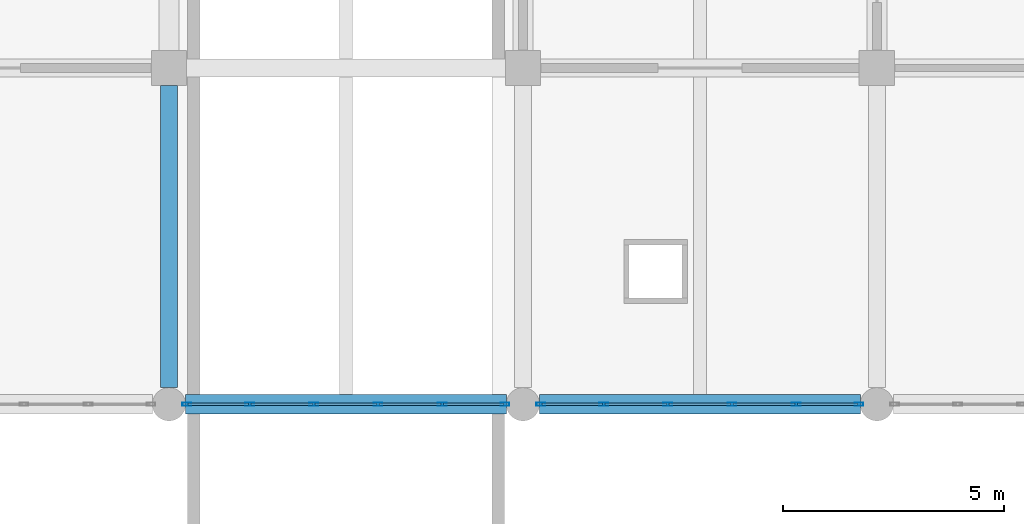
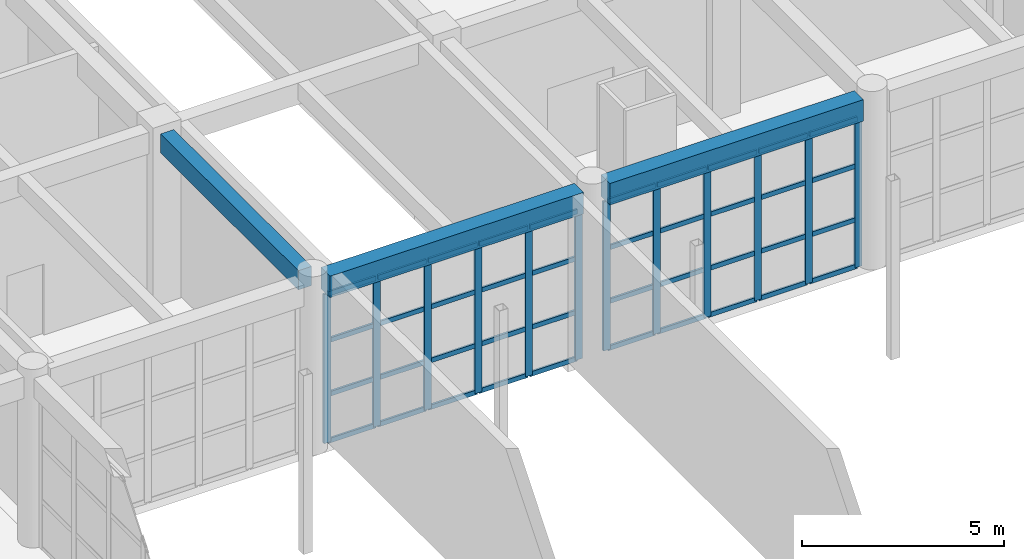
# One storey, part 54 of 95: 52 members, 3 beams, 2 elements without a shape of their own.
"""IFC4 building model written with IfcOpenShell, lengths in metres."""

from ifc_helpers import new_model, si_unit, direction, frame, origin, origin_2d, place, context, subcontext, project, spatial, rectangle, hollow_rectangle, extrude, material, material_profile, profile_set, type_object, element, aggregate, save


model = new_model("IFC4")

# Units and contexts
model_context = context("Model", 3, precision=1e-05, world=origin(), true_north=direction((0.0, 1.0)))
body_context = subcontext(model_context, "Body", "Model", "MODEL_VIEW")
ifc_project = project(units=[si_unit("LENGTHUNIT", "METRE"), si_unit("AREAUNIT", "SQUARE_METRE"), si_unit("VOLUMEUNIT", "CUBIC_METRE"), si_unit("PLANEANGLEUNIT", "RADIAN"), si_unit("MASSUNIT", "GRAM", prefix="KILO")], contexts=[model_context])

# Site, building, storey
site_placement = place(None, origin())
site = spatial("IfcSite", under=ifc_project, at=site_placement, CompositionType="ELEMENT")
building_placement = place(site_placement, origin())
building = spatial("IfcBuilding", under=site, at=building_placement, Name="Zantavel Square City Hall", CompositionType="ELEMENT")
storey_placement = place(building_placement, origin())
storey = spatial("IfcBuildingStorey", under=building, at=storey_placement, Name="L01", CompositionType="ELEMENT", Elevation=0.0)

# Beam
ifc_material_1 = material(Name="Concrete C35/45", Category="concrete")
ifc_material_profile_1 = material_profile(ifc_material_1, rectangle(XDim=0.3798828125, YDim=0.580078125, at=origin_2d()), Name="RC 380x580")
ifc_profile_set_1 = profile_set([ifc_material_profile_1], Name="Concrete C35/45")
beam_type_1 = type_object("IfcBeamType", Name="Annex Secondary Beam RC 380x580 C35/45", PredefinedType="BEAM", material=ifc_profile_set_1)
beam_placement = place(storey_placement, frame((128.0, 68.77490234375, 4.8701171875), z_axis=(0.0, 1.0, 0.0), x_axis=(-1.0, 0.0, 0.0)))
element("IfcBeam", 1, at=beam_placement, inside=storey, type_object=beam_type_1, Name="L01 Beam BMY-L01-1280-0684", PredefinedType="BEAM", context=body_context, shape_type="SweptSolid", body=[
    extrude(rectangle(XDim=0.3798828125, YDim=0.580078125, at=origin_2d()), origin(), (0.0, 0.0, 1.0), 6.8251953125),
])

# Curtain wall, members
ifc_material_2 = material(Name="Anodised aluminium 6063-T6", Category="aluminium")
curtain_wall_type = type_object("IfcCurtainWallType", Name="Curtain Wall CRT 7250x4510", PredefinedType="USERDEFINED", material=ifc_material_2)
curtain_wall_1_placement = place(storey_placement, origin())
curtain_wall_1 = element("IfcCurtainWall", 2, at=curtain_wall_1_placement, inside=storey, type_object=curtain_wall_type, Name="L01 Glazed Curtain Wall CW-L01-021", ObjectType="GLAZED CURTAIN WALL", PredefinedType="USERDEFINED")
ifc_material_profile_2 = material_profile(ifc_material_2, hollow_rectangle(XDim=0.070068359375, YDim=0.199951171875, WallThickness=0.00439453125, at=origin_2d()), Name="ALU 70x200x4.5")
ifc_profile_set_2 = profile_set([ifc_material_profile_2], Name="Anodised aluminium 6063-T6")
member_type_1 = type_object("IfcMemberType", Name="CW Heavy Hall Mullion ALU 70x200x4.5", PredefinedType="MULLION", material=ifc_profile_set_2)
member_1_placement = place(storey_placement, frame((135.594970703125, 68.39990234375, 0.0), z_axis=(0.0, 0.0, 1.0), x_axis=(0.0, -1.0, 0.0)))
member_1 = element("IfcMember", 3, at=member_1_placement, type_object=member_type_1, Name="CW-021 mullion 1", PredefinedType="MULLION", context=body_context, shape_type="SweptSolid", body=[
    extrude(hollow_rectangle(XDim=0.070068359375, YDim=0.199951171875, WallThickness=0.00439453125, at=origin_2d()), origin(), (0.0, 0.0, 1.0), 4.510009765625),
])
member_2_placement = place(storey_placement, frame((134.175048828125, 68.39990234375, 0.0), z_axis=(0.0, 0.0, 1.0), x_axis=(0.0, -1.0, 0.0)))
member_2 = element("IfcMember", 4, at=member_2_placement, type_object=member_type_1, Name="CW-021 mullion 2", PredefinedType="MULLION", context=body_context, shape_type="SweptSolid", body=[
    extrude(hollow_rectangle(XDim=0.070068359375, YDim=0.199951171875, WallThickness=0.00439453125, at=origin_2d()), origin(), (0.0, 0.0, 1.0), 4.510009765625),
])
member_3_placement = place(storey_placement, frame((132.72509765625, 68.39990234375, 0.0), z_axis=(0.0, 0.0, 1.0), x_axis=(0.0, -1.0, 0.0)))
member_3 = element("IfcMember", 5, at=member_3_placement, type_object=member_type_1, Name="CW-021 mullion 3", PredefinedType="MULLION", context=body_context, shape_type="SweptSolid", body=[
    extrude(hollow_rectangle(XDim=0.070068359375, YDim=0.199951171875, WallThickness=0.00439453125, at=origin_2d()), origin(), (0.0, 0.0, 1.0), 4.510009765625),
])
member_4_placement = place(storey_placement, frame((131.27490234375, 68.39990234375, 0.0), z_axis=(0.0, 0.0, 1.0), x_axis=(0.0, -1.0, 0.0)))
member_4 = element("IfcMember", 6, at=member_4_placement, type_object=member_type_1, Name="CW-021 mullion 4", PredefinedType="MULLION", context=body_context, shape_type="SweptSolid", body=[
    extrude(hollow_rectangle(XDim=0.070068359375, YDim=0.199951171875, WallThickness=0.00439453125, at=origin_2d()), origin(), (0.0, 0.0, 1.0), 4.510009765625),
])
member_5_placement = place(storey_placement, frame((129.824951171875, 68.39990234375, 0.0), z_axis=(0.0, 0.0, 1.0), x_axis=(0.0, -1.0, 0.0)))
member_5 = element("IfcMember", 7, at=member_5_placement, type_object=member_type_1, Name="CW-021 mullion 5", PredefinedType="MULLION", context=body_context, shape_type="SweptSolid", body=[
    extrude(hollow_rectangle(XDim=0.070068359375, YDim=0.199951171875, WallThickness=0.00439453125, at=origin_2d()), origin(), (0.0, 0.0, 1.0), 4.510009765625),
])
member_6_placement = place(storey_placement, frame((128.405029296875, 68.39990234375, 0.0), z_axis=(0.0, 0.0, 1.0), x_axis=(0.0, -1.0, 0.0)))
member_6 = element("IfcMember", 8, at=member_6_placement, type_object=member_type_1, Name="CW-021 mullion 6", PredefinedType="MULLION", context=body_context, shape_type="SweptSolid", body=[
    extrude(hollow_rectangle(XDim=0.070068359375, YDim=0.199951171875, WallThickness=0.00439453125, at=origin_2d()), origin(), (0.0, 0.0, 1.0), 4.510009765625),
])

curtain_wall_2_placement = place(storey_placement, origin())
curtain_wall_2 = element("IfcCurtainWall", 9, at=curtain_wall_2_placement, inside=storey, type_object=curtain_wall_type, Name="L01 Glazed Curtain Wall CW-L01-036", ObjectType="GLAZED CURTAIN WALL", PredefinedType="USERDEFINED")
member_7_placement = place(storey_placement, frame((143.594970703125, 68.39990234375, 0.0), z_axis=(0.0, 0.0, 1.0), x_axis=(0.0, -1.0, 0.0)))
member_7 = element("IfcMember", 10, at=member_7_placement, type_object=member_type_1, Name="CW-036 mullion 1", PredefinedType="MULLION", context=body_context, shape_type="SweptSolid", body=[
    extrude(hollow_rectangle(XDim=0.070068359375, YDim=0.199951171875, WallThickness=0.00439453125, at=origin_2d()), origin(), (0.0, 0.0, 1.0), 4.510009765625),
])
member_8_placement = place(storey_placement, frame((142.175048828125, 68.39990234375, 0.0), z_axis=(0.0, 0.0, 1.0), x_axis=(0.0, -1.0, 0.0)))
member_8 = element("IfcMember", 11, at=member_8_placement, type_object=member_type_1, Name="CW-036 mullion 2", PredefinedType="MULLION", context=body_context, shape_type="SweptSolid", body=[
    extrude(hollow_rectangle(XDim=0.070068359375, YDim=0.199951171875, WallThickness=0.00439453125, at=origin_2d()), origin(), (0.0, 0.0, 1.0), 4.510009765625),
])
member_9_placement = place(storey_placement, frame((140.72509765625, 68.39990234375, 0.0), z_axis=(0.0, 0.0, 1.0), x_axis=(0.0, -1.0, 0.0)))
member_9 = element("IfcMember", 12, at=member_9_placement, type_object=member_type_1, Name="CW-036 mullion 3", PredefinedType="MULLION", context=body_context, shape_type="SweptSolid", body=[
    extrude(hollow_rectangle(XDim=0.070068359375, YDim=0.199951171875, WallThickness=0.00439453125, at=origin_2d()), origin(), (0.0, 0.0, 1.0), 4.510009765625),
])
member_10_placement = place(storey_placement, frame((139.27490234375, 68.39990234375, 0.0), z_axis=(0.0, 0.0, 1.0), x_axis=(0.0, -1.0, 0.0)))
member_10 = element("IfcMember", 13, at=member_10_placement, type_object=member_type_1, Name="CW-036 mullion 4", PredefinedType="MULLION", context=body_context, shape_type="SweptSolid", body=[
    extrude(hollow_rectangle(XDim=0.070068359375, YDim=0.199951171875, WallThickness=0.00439453125, at=origin_2d()), origin(), (0.0, 0.0, 1.0), 4.510009765625),
])
member_11_placement = place(storey_placement, frame((137.824951171875, 68.39990234375, 0.0), z_axis=(0.0, 0.0, 1.0), x_axis=(0.0, -1.0, 0.0)))
member_11 = element("IfcMember", 14, at=member_11_placement, type_object=member_type_1, Name="CW-036 mullion 5", PredefinedType="MULLION", context=body_context, shape_type="SweptSolid", body=[
    extrude(hollow_rectangle(XDim=0.070068359375, YDim=0.199951171875, WallThickness=0.00439453125, at=origin_2d()), origin(), (0.0, 0.0, 1.0), 4.510009765625),
])
member_12_placement = place(storey_placement, frame((136.405029296875, 68.39990234375, 0.0), z_axis=(0.0, 0.0, 1.0), x_axis=(0.0, -1.0, 0.0)))
member_12 = element("IfcMember", 15, at=member_12_placement, type_object=member_type_1, Name="CW-036 mullion 6", PredefinedType="MULLION", context=body_context, shape_type="SweptSolid", body=[
    extrude(hollow_rectangle(XDim=0.070068359375, YDim=0.199951171875, WallThickness=0.00439453125, at=origin_2d()), origin(), (0.0, 0.0, 1.0), 4.510009765625),
])

# Member
ifc_material_profile_3 = material_profile(ifc_material_2, hollow_rectangle(XDim=0.06005859375, YDim=0.139892578125, WallThickness=0.00390625, at=origin_2d()), Name="ALU 60x140x4")
ifc_profile_set_3 = profile_set([ifc_material_profile_3], Name="Anodised aluminium 6063-T6")
member_type_2 = type_object("IfcMemberType", Name="CW Transom ALU 60x140x4", PredefinedType="USERDEFINED", material=ifc_profile_set_3)
member_13_placement = place(storey_placement, frame((135.56494140625, 68.39990234375, 0.030029296875), z_axis=(-1.0, 0.0, 0.0), x_axis=(0.0, -1.0, 0.0)))
member_13 = element("IfcMember", 16, at=member_13_placement, type_object=member_type_2, Name="CW-021 transom 1.1", ObjectType="TRANSOM", PredefinedType="USERDEFINED", context=body_context, shape_type="SweptSolid", body=[
    extrude(hollow_rectangle(XDim=0.06005859375, YDim=0.139892578125, WallThickness=0.00390625, at=origin_2d()), origin(), (0.0, 0.0, 1.0), 1.35986328125),
])

member_14_placement = place(storey_placement, frame((135.56494140625, 68.39990234375, 1.443115234375), z_axis=(-1.0, 0.0, 0.0), x_axis=(0.0, -1.0, 0.0)))
member_14 = element("IfcMember", 17, at=member_14_placement, type_object=member_type_2, Name="CW-021 transom 1.2", ObjectType="TRANSOM", PredefinedType="USERDEFINED", context=body_context, shape_type="SweptSolid", body=[
    extrude(hollow_rectangle(XDim=0.06005859375, YDim=0.139892578125, WallThickness=0.00390625, at=origin_2d()), origin(), (0.0, 0.0, 1.0), 1.35986328125),
])

member_15_placement = place(storey_placement, frame((135.56494140625, 68.39990234375, 3.06689453125), z_axis=(-1.0, 0.0, 0.0), x_axis=(0.0, -1.0, 0.0)))
member_15 = element("IfcMember", 18, at=member_15_placement, type_object=member_type_2, Name="CW-021 transom 1.3", ObjectType="TRANSOM", PredefinedType="USERDEFINED", context=body_context, shape_type="SweptSolid", body=[
    extrude(hollow_rectangle(XDim=0.06005859375, YDim=0.139892578125, WallThickness=0.00390625, at=origin_2d()), origin(), (0.0, 0.0, 1.0), 1.35986328125),
])

member_16_placement = place(storey_placement, frame((135.56494140625, 68.39990234375, 4.47998046875), z_axis=(-1.0, 0.0, 0.0), x_axis=(0.0, -1.0, 0.0)))
member_16 = element("IfcMember", 19, at=member_16_placement, type_object=member_type_2, Name="CW-021 transom 1.4", ObjectType="TRANSOM", PredefinedType="USERDEFINED", context=body_context, shape_type="SweptSolid", body=[
    extrude(hollow_rectangle(XDim=0.06005859375, YDim=0.139892578125, WallThickness=0.00390625, at=origin_2d()), origin(), (0.0, 0.0, 1.0), 1.35986328125),
])

member_17_placement = place(storey_placement, frame((134.14501953125, 68.39990234375, 0.030029296875), z_axis=(-1.0, 0.0, 0.0), x_axis=(0.0, -1.0, 0.0)))
member_17 = element("IfcMember", 20, at=member_17_placement, type_object=member_type_2, Name="CW-021 transom 2.1", ObjectType="TRANSOM", PredefinedType="USERDEFINED", context=body_context, shape_type="SweptSolid", body=[
    extrude(hollow_rectangle(XDim=0.06005859375, YDim=0.139892578125, WallThickness=0.00390625, at=origin_2d()), origin(), (0.0, 0.0, 1.0), 1.39013671875),
])

member_18_placement = place(storey_placement, frame((134.14501953125, 68.39990234375, 1.443115234375), z_axis=(-1.0, 0.0, 0.0), x_axis=(0.0, -1.0, 0.0)))
member_18 = element("IfcMember", 21, at=member_18_placement, type_object=member_type_2, Name="CW-021 transom 2.2", ObjectType="TRANSOM", PredefinedType="USERDEFINED", context=body_context, shape_type="SweptSolid", body=[
    extrude(hollow_rectangle(XDim=0.06005859375, YDim=0.139892578125, WallThickness=0.00390625, at=origin_2d()), origin(), (0.0, 0.0, 1.0), 1.39013671875),
])

member_19_placement = place(storey_placement, frame((134.14501953125, 68.39990234375, 3.06689453125), z_axis=(-1.0, 0.0, 0.0), x_axis=(0.0, -1.0, 0.0)))
member_19 = element("IfcMember", 22, at=member_19_placement, type_object=member_type_2, Name="CW-021 transom 2.3", ObjectType="TRANSOM", PredefinedType="USERDEFINED", context=body_context, shape_type="SweptSolid", body=[
    extrude(hollow_rectangle(XDim=0.06005859375, YDim=0.139892578125, WallThickness=0.00390625, at=origin_2d()), origin(), (0.0, 0.0, 1.0), 1.39013671875),
])

member_20_placement = place(storey_placement, frame((134.14501953125, 68.39990234375, 4.47998046875), z_axis=(-1.0, 0.0, 0.0), x_axis=(0.0, -1.0, 0.0)))
member_20 = element("IfcMember", 23, at=member_20_placement, type_object=member_type_2, Name="CW-021 transom 2.4", ObjectType="TRANSOM", PredefinedType="USERDEFINED", context=body_context, shape_type="SweptSolid", body=[
    extrude(hollow_rectangle(XDim=0.06005859375, YDim=0.139892578125, WallThickness=0.00390625, at=origin_2d()), origin(), (0.0, 0.0, 1.0), 1.39013671875),
])

member_21_placement = place(storey_placement, frame((132.695068359375, 68.39990234375, 0.030029296875), z_axis=(-1.0, 0.0, 0.0), x_axis=(0.0, -1.0, 0.0)))
member_21 = element("IfcMember", 24, at=member_21_placement, type_object=member_type_2, Name="CW-021 transom 3.1", ObjectType="TRANSOM", PredefinedType="USERDEFINED", context=body_context, shape_type="SweptSolid", body=[
    extrude(hollow_rectangle(XDim=0.06005859375, YDim=0.139892578125, WallThickness=0.00390625, at=origin_2d()), origin(), (0.0, 0.0, 1.0), 1.39013671875),
])

member_22_placement = place(storey_placement, frame((132.695068359375, 68.39990234375, 1.443115234375), z_axis=(-1.0, 0.0, 0.0), x_axis=(0.0, -1.0, 0.0)))
member_22 = element("IfcMember", 25, at=member_22_placement, type_object=member_type_2, Name="CW-021 transom 3.2", ObjectType="TRANSOM", PredefinedType="USERDEFINED", context=body_context, shape_type="SweptSolid", body=[
    extrude(hollow_rectangle(XDim=0.06005859375, YDim=0.139892578125, WallThickness=0.00390625, at=origin_2d()), origin(), (0.0, 0.0, 1.0), 1.39013671875),
])

member_23_placement = place(storey_placement, frame((132.695068359375, 68.39990234375, 3.06689453125), z_axis=(-1.0, 0.0, 0.0), x_axis=(0.0, -1.0, 0.0)))
member_23 = element("IfcMember", 26, at=member_23_placement, type_object=member_type_2, Name="CW-021 transom 3.3", ObjectType="TRANSOM", PredefinedType="USERDEFINED", context=body_context, shape_type="SweptSolid", body=[
    extrude(hollow_rectangle(XDim=0.06005859375, YDim=0.139892578125, WallThickness=0.00390625, at=origin_2d()), origin(), (0.0, 0.0, 1.0), 1.39013671875),
])

member_24_placement = place(storey_placement, frame((132.695068359375, 68.39990234375, 4.47998046875), z_axis=(-1.0, 0.0, 0.0), x_axis=(0.0, -1.0, 0.0)))
member_24 = element("IfcMember", 27, at=member_24_placement, type_object=member_type_2, Name="CW-021 transom 3.4", ObjectType="TRANSOM", PredefinedType="USERDEFINED", context=body_context, shape_type="SweptSolid", body=[
    extrude(hollow_rectangle(XDim=0.06005859375, YDim=0.139892578125, WallThickness=0.00390625, at=origin_2d()), origin(), (0.0, 0.0, 1.0), 1.39013671875),
])

member_25_placement = place(storey_placement, frame((131.2451171875, 68.39990234375, 0.030029296875), z_axis=(-1.0, 0.0, 0.0), x_axis=(0.0, -1.0, 0.0)))
member_25 = element("IfcMember", 28, at=member_25_placement, type_object=member_type_2, Name="CW-021 transom 4.1", ObjectType="TRANSOM", PredefinedType="USERDEFINED", context=body_context, shape_type="SweptSolid", body=[
    extrude(hollow_rectangle(XDim=0.06005859375, YDim=0.139892578125, WallThickness=0.00390625, at=origin_2d()), origin(), (0.0, 0.0, 1.0), 1.39013671875),
])

member_26_placement = place(storey_placement, frame((131.2451171875, 68.39990234375, 1.443115234375), z_axis=(-1.0, 0.0, 0.0), x_axis=(0.0, -1.0, 0.0)))
member_26 = element("IfcMember", 29, at=member_26_placement, type_object=member_type_2, Name="CW-021 transom 4.2", ObjectType="TRANSOM", PredefinedType="USERDEFINED", context=body_context, shape_type="SweptSolid", body=[
    extrude(hollow_rectangle(XDim=0.06005859375, YDim=0.139892578125, WallThickness=0.00390625, at=origin_2d()), origin(), (0.0, 0.0, 1.0), 1.39013671875),
])

member_27_placement = place(storey_placement, frame((131.2451171875, 68.39990234375, 3.06689453125), z_axis=(-1.0, 0.0, 0.0), x_axis=(0.0, -1.0, 0.0)))
member_27 = element("IfcMember", 30, at=member_27_placement, type_object=member_type_2, Name="CW-021 transom 4.3", ObjectType="TRANSOM", PredefinedType="USERDEFINED", context=body_context, shape_type="SweptSolid", body=[
    extrude(hollow_rectangle(XDim=0.06005859375, YDim=0.139892578125, WallThickness=0.00390625, at=origin_2d()), origin(), (0.0, 0.0, 1.0), 1.39013671875),
])

member_28_placement = place(storey_placement, frame((131.2451171875, 68.39990234375, 4.47998046875), z_axis=(-1.0, 0.0, 0.0), x_axis=(0.0, -1.0, 0.0)))
member_28 = element("IfcMember", 31, at=member_28_placement, type_object=member_type_2, Name="CW-021 transom 4.4", ObjectType="TRANSOM", PredefinedType="USERDEFINED", context=body_context, shape_type="SweptSolid", body=[
    extrude(hollow_rectangle(XDim=0.06005859375, YDim=0.139892578125, WallThickness=0.00390625, at=origin_2d()), origin(), (0.0, 0.0, 1.0), 1.39013671875),
])

member_29_placement = place(storey_placement, frame((129.794921875, 68.39990234375, 0.030029296875), z_axis=(-1.0, 0.0, 0.0), x_axis=(0.0, -1.0, 0.0)))
member_29 = element("IfcMember", 32, at=member_29_placement, type_object=member_type_2, Name="CW-021 transom 5.1", ObjectType="TRANSOM", PredefinedType="USERDEFINED", context=body_context, shape_type="SweptSolid", body=[
    extrude(hollow_rectangle(XDim=0.06005859375, YDim=0.139892578125, WallThickness=0.00390625, at=origin_2d()), origin(), (0.0, 0.0, 1.0), 1.35986328125),
])

member_30_placement = place(storey_placement, frame((129.794921875, 68.39990234375, 1.443115234375), z_axis=(-1.0, 0.0, 0.0), x_axis=(0.0, -1.0, 0.0)))
member_30 = element("IfcMember", 33, at=member_30_placement, type_object=member_type_2, Name="CW-021 transom 5.2", ObjectType="TRANSOM", PredefinedType="USERDEFINED", context=body_context, shape_type="SweptSolid", body=[
    extrude(hollow_rectangle(XDim=0.06005859375, YDim=0.139892578125, WallThickness=0.00390625, at=origin_2d()), origin(), (0.0, 0.0, 1.0), 1.35986328125),
])

member_31_placement = place(storey_placement, frame((129.794921875, 68.39990234375, 3.06689453125), z_axis=(-1.0, 0.0, 0.0), x_axis=(0.0, -1.0, 0.0)))
member_31 = element("IfcMember", 34, at=member_31_placement, type_object=member_type_2, Name="CW-021 transom 5.3", ObjectType="TRANSOM", PredefinedType="USERDEFINED", context=body_context, shape_type="SweptSolid", body=[
    extrude(hollow_rectangle(XDim=0.06005859375, YDim=0.139892578125, WallThickness=0.00390625, at=origin_2d()), origin(), (0.0, 0.0, 1.0), 1.35986328125),
])

member_32_placement = place(storey_placement, frame((129.794921875, 68.39990234375, 4.47998046875), z_axis=(-1.0, 0.0, 0.0), x_axis=(0.0, -1.0, 0.0)))
member_32 = element("IfcMember", 35, at=member_32_placement, type_object=member_type_2, Name="CW-021 transom 5.4", ObjectType="TRANSOM", PredefinedType="USERDEFINED", context=body_context, shape_type="SweptSolid", body=[
    extrude(hollow_rectangle(XDim=0.06005859375, YDim=0.139892578125, WallThickness=0.00390625, at=origin_2d()), origin(), (0.0, 0.0, 1.0), 1.35986328125),
])

aggregate(curtain_wall_1, [member_1, member_2, member_3, member_4, member_5, member_6, member_13, member_14, member_15, member_16, member_17, member_18, member_19, member_20, member_21, member_22, member_23, member_24, member_25, member_26, member_27, member_28, member_29, member_30, member_31, member_32])

member_33_placement = place(storey_placement, frame((143.56494140625, 68.39990234375, 0.030029296875), z_axis=(-1.0, 0.0, 0.0), x_axis=(0.0, -1.0, 0.0)))
member_33 = element("IfcMember", 36, at=member_33_placement, type_object=member_type_2, Name="CW-036 transom 1.1", ObjectType="TRANSOM", PredefinedType="USERDEFINED", context=body_context, shape_type="SweptSolid", body=[
    extrude(hollow_rectangle(XDim=0.06005859375, YDim=0.139892578125, WallThickness=0.00390625, at=origin_2d()), origin(), (0.0, 0.0, 1.0), 1.35986328125),
])

member_34_placement = place(storey_placement, frame((143.56494140625, 68.39990234375, 1.443115234375), z_axis=(-1.0, 0.0, 0.0), x_axis=(0.0, -1.0, 0.0)))
member_34 = element("IfcMember", 37, at=member_34_placement, type_object=member_type_2, Name="CW-036 transom 1.2", ObjectType="TRANSOM", PredefinedType="USERDEFINED", context=body_context, shape_type="SweptSolid", body=[
    extrude(hollow_rectangle(XDim=0.06005859375, YDim=0.139892578125, WallThickness=0.00390625, at=origin_2d()), origin(), (0.0, 0.0, 1.0), 1.35986328125),
])

member_35_placement = place(storey_placement, frame((143.56494140625, 68.39990234375, 3.06689453125), z_axis=(-1.0, 0.0, 0.0), x_axis=(0.0, -1.0, 0.0)))
member_35 = element("IfcMember", 38, at=member_35_placement, type_object=member_type_2, Name="CW-036 transom 1.3", ObjectType="TRANSOM", PredefinedType="USERDEFINED", context=body_context, shape_type="SweptSolid", body=[
    extrude(hollow_rectangle(XDim=0.06005859375, YDim=0.139892578125, WallThickness=0.00390625, at=origin_2d()), origin(), (0.0, 0.0, 1.0), 1.35986328125),
])

member_36_placement = place(storey_placement, frame((143.56494140625, 68.39990234375, 4.47998046875), z_axis=(-1.0, 0.0, 0.0), x_axis=(0.0, -1.0, 0.0)))
member_36 = element("IfcMember", 39, at=member_36_placement, type_object=member_type_2, Name="CW-036 transom 1.4", ObjectType="TRANSOM", PredefinedType="USERDEFINED", context=body_context, shape_type="SweptSolid", body=[
    extrude(hollow_rectangle(XDim=0.06005859375, YDim=0.139892578125, WallThickness=0.00390625, at=origin_2d()), origin(), (0.0, 0.0, 1.0), 1.35986328125),
])

member_37_placement = place(storey_placement, frame((142.14501953125, 68.39990234375, 0.030029296875), z_axis=(-1.0, 0.0, 0.0), x_axis=(0.0, -1.0, 0.0)))
member_37 = element("IfcMember", 40, at=member_37_placement, type_object=member_type_2, Name="CW-036 transom 2.1", ObjectType="TRANSOM", PredefinedType="USERDEFINED", context=body_context, shape_type="SweptSolid", body=[
    extrude(hollow_rectangle(XDim=0.06005859375, YDim=0.139892578125, WallThickness=0.00390625, at=origin_2d()), origin(), (0.0, 0.0, 1.0), 1.39013671875),
])

member_38_placement = place(storey_placement, frame((142.14501953125, 68.39990234375, 1.443115234375), z_axis=(-1.0, 0.0, 0.0), x_axis=(0.0, -1.0, 0.0)))
member_38 = element("IfcMember", 41, at=member_38_placement, type_object=member_type_2, Name="CW-036 transom 2.2", ObjectType="TRANSOM", PredefinedType="USERDEFINED", context=body_context, shape_type="SweptSolid", body=[
    extrude(hollow_rectangle(XDim=0.06005859375, YDim=0.139892578125, WallThickness=0.00390625, at=origin_2d()), origin(), (0.0, 0.0, 1.0), 1.39013671875),
])

member_39_placement = place(storey_placement, frame((142.14501953125, 68.39990234375, 3.06689453125), z_axis=(-1.0, 0.0, 0.0), x_axis=(0.0, -1.0, 0.0)))
member_39 = element("IfcMember", 42, at=member_39_placement, type_object=member_type_2, Name="CW-036 transom 2.3", ObjectType="TRANSOM", PredefinedType="USERDEFINED", context=body_context, shape_type="SweptSolid", body=[
    extrude(hollow_rectangle(XDim=0.06005859375, YDim=0.139892578125, WallThickness=0.00390625, at=origin_2d()), origin(), (0.0, 0.0, 1.0), 1.39013671875),
])

member_40_placement = place(storey_placement, frame((142.14501953125, 68.39990234375, 4.47998046875), z_axis=(-1.0, 0.0, 0.0), x_axis=(0.0, -1.0, 0.0)))
member_40 = element("IfcMember", 43, at=member_40_placement, type_object=member_type_2, Name="CW-036 transom 2.4", ObjectType="TRANSOM", PredefinedType="USERDEFINED", context=body_context, shape_type="SweptSolid", body=[
    extrude(hollow_rectangle(XDim=0.06005859375, YDim=0.139892578125, WallThickness=0.00390625, at=origin_2d()), origin(), (0.0, 0.0, 1.0), 1.39013671875),
])

member_41_placement = place(storey_placement, frame((140.695068359375, 68.39990234375, 0.030029296875), z_axis=(-1.0, 0.0, 0.0), x_axis=(0.0, -1.0, 0.0)))
member_41 = element("IfcMember", 44, at=member_41_placement, type_object=member_type_2, Name="CW-036 transom 3.1", ObjectType="TRANSOM", PredefinedType="USERDEFINED", context=body_context, shape_type="SweptSolid", body=[
    extrude(hollow_rectangle(XDim=0.06005859375, YDim=0.139892578125, WallThickness=0.00390625, at=origin_2d()), origin(), (0.0, 0.0, 1.0), 1.39013671875),
])

member_42_placement = place(storey_placement, frame((140.695068359375, 68.39990234375, 1.443115234375), z_axis=(-1.0, 0.0, 0.0), x_axis=(0.0, -1.0, 0.0)))
member_42 = element("IfcMember", 45, at=member_42_placement, type_object=member_type_2, Name="CW-036 transom 3.2", ObjectType="TRANSOM", PredefinedType="USERDEFINED", context=body_context, shape_type="SweptSolid", body=[
    extrude(hollow_rectangle(XDim=0.06005859375, YDim=0.139892578125, WallThickness=0.00390625, at=origin_2d()), origin(), (0.0, 0.0, 1.0), 1.39013671875),
])

member_43_placement = place(storey_placement, frame((140.695068359375, 68.39990234375, 3.06689453125), z_axis=(-1.0, 0.0, 0.0), x_axis=(0.0, -1.0, 0.0)))
member_43 = element("IfcMember", 46, at=member_43_placement, type_object=member_type_2, Name="CW-036 transom 3.3", ObjectType="TRANSOM", PredefinedType="USERDEFINED", context=body_context, shape_type="SweptSolid", body=[
    extrude(hollow_rectangle(XDim=0.06005859375, YDim=0.139892578125, WallThickness=0.00390625, at=origin_2d()), origin(), (0.0, 0.0, 1.0), 1.39013671875),
])

member_44_placement = place(storey_placement, frame((140.695068359375, 68.39990234375, 4.47998046875), z_axis=(-1.0, 0.0, 0.0), x_axis=(0.0, -1.0, 0.0)))
member_44 = element("IfcMember", 47, at=member_44_placement, type_object=member_type_2, Name="CW-036 transom 3.4", ObjectType="TRANSOM", PredefinedType="USERDEFINED", context=body_context, shape_type="SweptSolid", body=[
    extrude(hollow_rectangle(XDim=0.06005859375, YDim=0.139892578125, WallThickness=0.00390625, at=origin_2d()), origin(), (0.0, 0.0, 1.0), 1.39013671875),
])

member_45_placement = place(storey_placement, frame((139.2451171875, 68.39990234375, 0.030029296875), z_axis=(-1.0, 0.0, 0.0), x_axis=(0.0, -1.0, 0.0)))
member_45 = element("IfcMember", 48, at=member_45_placement, type_object=member_type_2, Name="CW-036 transom 4.1", ObjectType="TRANSOM", PredefinedType="USERDEFINED", context=body_context, shape_type="SweptSolid", body=[
    extrude(hollow_rectangle(XDim=0.06005859375, YDim=0.139892578125, WallThickness=0.00390625, at=origin_2d()), origin(), (0.0, 0.0, 1.0), 1.39013671875),
])

member_46_placement = place(storey_placement, frame((139.2451171875, 68.39990234375, 1.443115234375), z_axis=(-1.0, 0.0, 0.0), x_axis=(0.0, -1.0, 0.0)))
member_46 = element("IfcMember", 49, at=member_46_placement, type_object=member_type_2, Name="CW-036 transom 4.2", ObjectType="TRANSOM", PredefinedType="USERDEFINED", context=body_context, shape_type="SweptSolid", body=[
    extrude(hollow_rectangle(XDim=0.06005859375, YDim=0.139892578125, WallThickness=0.00390625, at=origin_2d()), origin(), (0.0, 0.0, 1.0), 1.39013671875),
])

member_47_placement = place(storey_placement, frame((139.2451171875, 68.39990234375, 3.06689453125), z_axis=(-1.0, 0.0, 0.0), x_axis=(0.0, -1.0, 0.0)))
member_47 = element("IfcMember", 50, at=member_47_placement, type_object=member_type_2, Name="CW-036 transom 4.3", ObjectType="TRANSOM", PredefinedType="USERDEFINED", context=body_context, shape_type="SweptSolid", body=[
    extrude(hollow_rectangle(XDim=0.06005859375, YDim=0.139892578125, WallThickness=0.00390625, at=origin_2d()), origin(), (0.0, 0.0, 1.0), 1.39013671875),
])

member_48_placement = place(storey_placement, frame((139.2451171875, 68.39990234375, 4.47998046875), z_axis=(-1.0, 0.0, 0.0), x_axis=(0.0, -1.0, 0.0)))
member_48 = element("IfcMember", 51, at=member_48_placement, type_object=member_type_2, Name="CW-036 transom 4.4", ObjectType="TRANSOM", PredefinedType="USERDEFINED", context=body_context, shape_type="SweptSolid", body=[
    extrude(hollow_rectangle(XDim=0.06005859375, YDim=0.139892578125, WallThickness=0.00390625, at=origin_2d()), origin(), (0.0, 0.0, 1.0), 1.39013671875),
])

member_49_placement = place(storey_placement, frame((137.794921875, 68.39990234375, 0.030029296875), z_axis=(-1.0, 0.0, 0.0), x_axis=(0.0, -1.0, 0.0)))
member_49 = element("IfcMember", 52, at=member_49_placement, type_object=member_type_2, Name="CW-036 transom 5.1", ObjectType="TRANSOM", PredefinedType="USERDEFINED", context=body_context, shape_type="SweptSolid", body=[
    extrude(hollow_rectangle(XDim=0.06005859375, YDim=0.139892578125, WallThickness=0.00390625, at=origin_2d()), origin(), (0.0, 0.0, 1.0), 1.35986328125),
])

member_50_placement = place(storey_placement, frame((137.794921875, 68.39990234375, 1.443115234375), z_axis=(-1.0, 0.0, 0.0), x_axis=(0.0, -1.0, 0.0)))
member_50 = element("IfcMember", 53, at=member_50_placement, type_object=member_type_2, Name="CW-036 transom 5.2", ObjectType="TRANSOM", PredefinedType="USERDEFINED", context=body_context, shape_type="SweptSolid", body=[
    extrude(hollow_rectangle(XDim=0.06005859375, YDim=0.139892578125, WallThickness=0.00390625, at=origin_2d()), origin(), (0.0, 0.0, 1.0), 1.35986328125),
])

member_51_placement = place(storey_placement, frame((137.794921875, 68.39990234375, 3.06689453125), z_axis=(-1.0, 0.0, 0.0), x_axis=(0.0, -1.0, 0.0)))
member_51 = element("IfcMember", 54, at=member_51_placement, type_object=member_type_2, Name="CW-036 transom 5.3", ObjectType="TRANSOM", PredefinedType="USERDEFINED", context=body_context, shape_type="SweptSolid", body=[
    extrude(hollow_rectangle(XDim=0.06005859375, YDim=0.139892578125, WallThickness=0.00390625, at=origin_2d()), origin(), (0.0, 0.0, 1.0), 1.35986328125),
])

member_52_placement = place(storey_placement, frame((137.794921875, 68.39990234375, 4.47998046875), z_axis=(-1.0, 0.0, 0.0), x_axis=(0.0, -1.0, 0.0)))
member_52 = element("IfcMember", 55, at=member_52_placement, type_object=member_type_2, Name="CW-036 transom 5.4", ObjectType="TRANSOM", PredefinedType="USERDEFINED", context=body_context, shape_type="SweptSolid", body=[
    extrude(hollow_rectangle(XDim=0.06005859375, YDim=0.139892578125, WallThickness=0.00390625, at=origin_2d()), origin(), (0.0, 0.0, 1.0), 1.35986328125),
])

aggregate(curtain_wall_2, [member_7, member_8, member_9, member_10, member_11, member_12, member_33, member_34, member_35, member_36, member_37, member_38, member_39, member_40, member_41, member_42, member_43, member_44, member_45, member_46, member_47, member_48, member_49, member_50, member_51, member_52])

# Beams
ifc_material_profile_4 = material_profile(ifc_material_1, rectangle(XDim=0.449951171875, YDim=0.64990234375, at=origin_2d()), Name="RC 450x650")
ifc_profile_set_4 = profile_set([ifc_material_profile_4], Name="Concrete C35/45")
beam_type_2 = type_object("IfcBeamType", Name="Courtyard Cloister Girder RC 450x650 C35/45", PredefinedType="BEAM", material=ifc_profile_set_4)
for number, where, z_axis, x_axis, name in (
    (56, (128.375, 68.39990234375, 4.8349609375), (1.0, 0.0, 0.0), (0.0, 1.0, 0.0), "L01 Girder BMX-L01-1280-0684"),
    (57, (136.375, 68.39990234375, 4.8349609375), (1.0, 0.0, 0.0), (0.0, 1.0, 0.0), "L01 Girder BMX-L01-1360-0684"),
):
    element("IfcBeam", number, at=place(storey_placement, frame(where, z_axis=z_axis, x_axis=x_axis)), inside=storey, type_object=beam_type_2, Name=name, PredefinedType="BEAM", context=body_context, shape_type="SweptSolid", body=[
        extrude(rectangle(XDim=0.449951171875, YDim=0.64990234375, at=origin_2d()), origin(), (0.0, 0.0, 1.0), 7.25),
    ])

save(model, "model.ifc")
